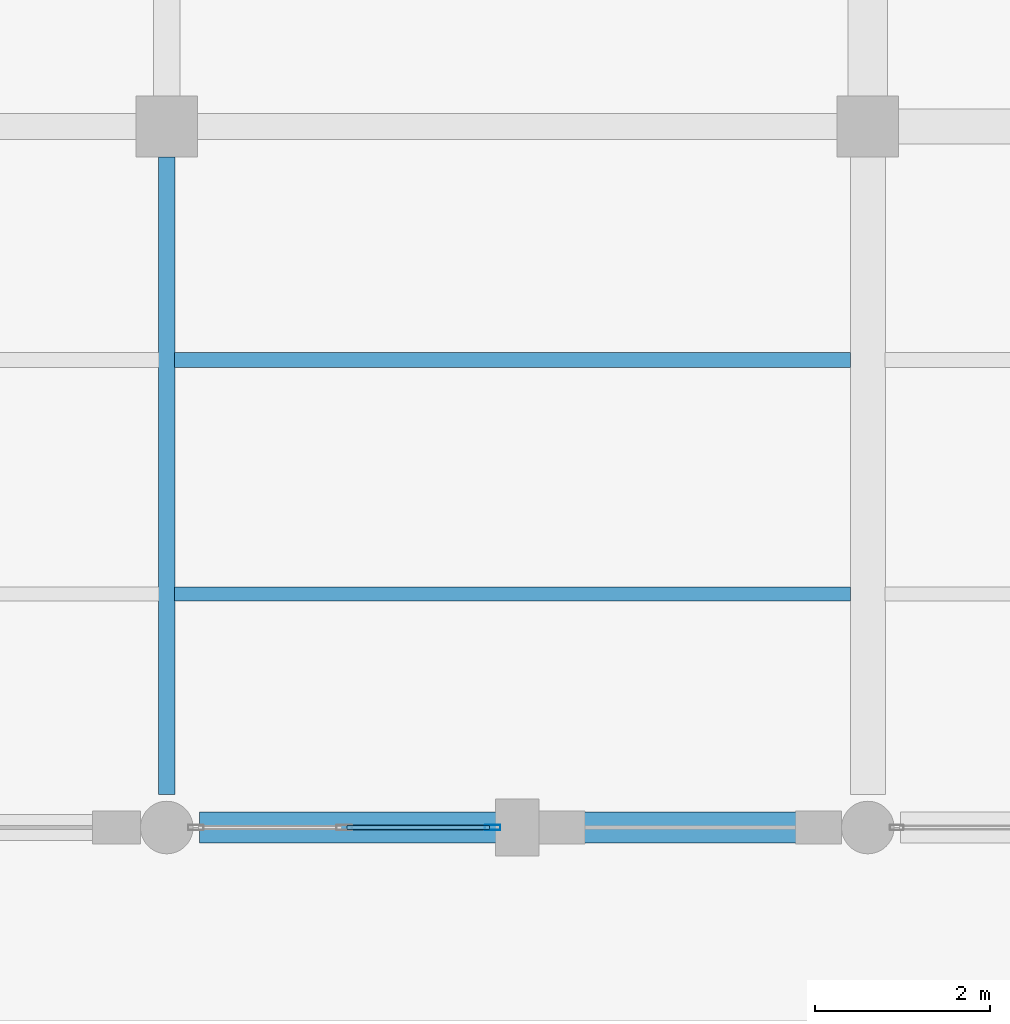
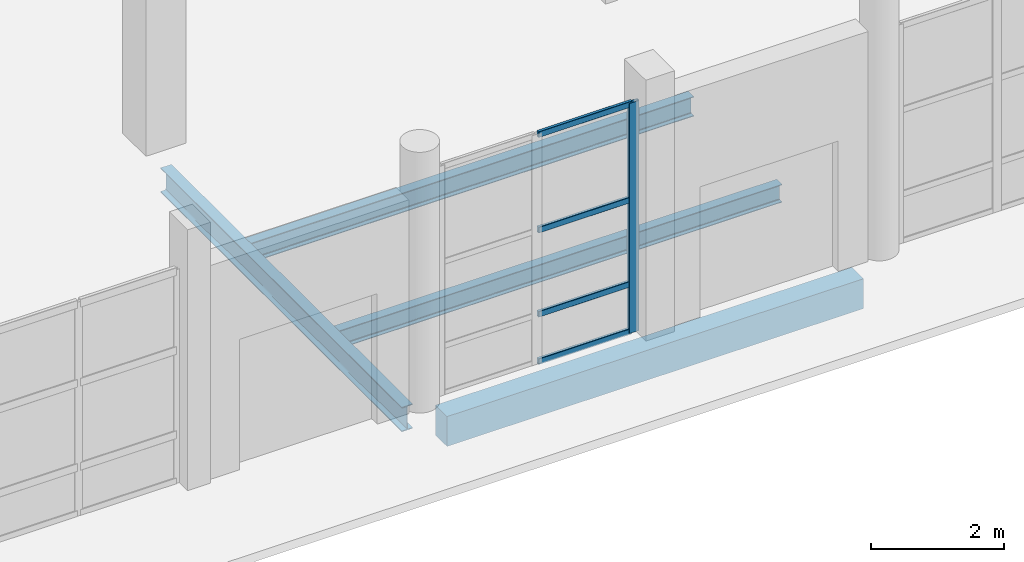
# One storey, part 8 of 156: 5 members, 4 beams, 1 element without a shape of its own.
"""IFC4 building model written with IfcOpenShell, lengths in metres."""

from ifc_helpers import new_model, si_unit, direction, frame, origin, origin_2d, place, context, subcontext, project, spatial, rectangle, hollow_rectangle, i_section, extrude, material, material_profile, profile_set, type_object, element, aggregate, save


model = new_model("IFC4")

# Units and contexts
model_context = context("Model", 3, precision=1e-05, world=origin(), true_north=direction((0.0, 1.0)))
body_context = subcontext(model_context, "Body", "Model", "MODEL_VIEW")
ifc_project = project(units=[si_unit("LENGTHUNIT", "METRE"), si_unit("AREAUNIT", "SQUARE_METRE"), si_unit("VOLUMEUNIT", "CUBIC_METRE"), si_unit("PLANEANGLEUNIT", "RADIAN"), si_unit("MASSUNIT", "GRAM", prefix="KILO")], contexts=[model_context])

# Site, building, storey
site_placement = place(None, origin())
site = spatial("IfcSite", under=ifc_project, at=site_placement, CompositionType="ELEMENT")
building_placement = place(site_placement, origin())
building = spatial("IfcBuilding", under=site, at=building_placement, Name="Luwemba Playhouse", CompositionType="ELEMENT")
storey_placement = place(building_placement, origin())
storey = spatial("IfcBuildingStorey", under=building, at=storey_placement, Name="L00", CompositionType="ELEMENT", Elevation=0.0)

# Beams
ifc_material_1 = material(Name="Steel S355", Category="steel")
ifc_material_profile_1 = material_profile(ifc_material_1, i_section(OverallWidth=0.18994140625, OverallDepth=0.449951171875, WebThickness=0.009521484375, FlangeThickness=0.0146484375, FilletRadius=0.02099609375, at=origin_2d()))
ifc_profile_set_1 = profile_set([ifc_material_profile_1], Name="Steel S355")
beam_type_1 = type_object("IfcBeamType", Name="BM-SB06", PredefinedType="BEAM", material=ifc_profile_set_1)
beam_1_placement = place(storey_placement, frame((28.0, 3.375, -0.52490234375), z_axis=(0.0, 1.0, 0.0), x_axis=(-1.0, 0.0, 0.0)))
element("IfcBeam", 1, at=beam_1_placement, inside=storey, type_object=beam_type_1, Name="L00 transverse girder 0187", PredefinedType="BEAM", context=body_context, shape_type="SweptSolid", body=[
    extrude(i_section(OverallWidth=0.18994140625, OverallDepth=0.449951171875, WebThickness=0.009521484375, FlangeThickness=0.0146484375, FilletRadius=0.02099609375, at=origin_2d()), origin(), (0.0, 0.0, 1.0), 7.27490234375),
])
ifc_material_profile_2 = material_profile(ifc_material_1, i_section(OverallWidth=0.159912109375, OverallDepth=0.330078125, WebThickness=0.007568359375, FlangeThickness=0.011474609375, FilletRadius=0.01806640625, at=origin_2d()))
ifc_profile_set_2 = profile_set([ifc_material_profile_2], Name="Steel S355")
beam_type_2 = type_object("IfcBeamType", Name="BM-SJ06", PredefinedType="JOIST", material=ifc_profile_set_2)
beam_2_placement = place(storey_placement, frame((28.091064453125, 5.666748046875, -0.465087890625), z_axis=(1.0, 0.0, 0.0), x_axis=(0.0, 1.0, 0.0)))
element("IfcBeam", 2, at=beam_2_placement, inside=storey, type_object=beam_type_2, Name="L00 composite floor joist 0134", PredefinedType="JOIST", context=body_context, shape_type="SweptSolid", body=[
    extrude(i_section(OverallWidth=0.159912109375, OverallDepth=0.330078125, WebThickness=0.007568359375, FlangeThickness=0.011474609375, FilletRadius=0.01806640625, at=origin_2d()), origin(), (0.0, 0.0, 1.0), 7.712890625),
])
ifc_material_profile_3 = material_profile(ifc_material_1, i_section(OverallWidth=0.169921875, OverallDepth=0.360107421875, WebThickness=0.008056640625, FlangeThickness=0.0126953125, FilletRadius=0.01806640625, at=origin_2d()))
ifc_profile_set_3 = profile_set([ifc_material_profile_3], Name="Steel S355")
beam_type_3 = type_object("IfcBeamType", Name="BM-SJ07", PredefinedType="JOIST", material=ifc_profile_set_3)
beam_3_placement = place(storey_placement, frame((28.091064453125, 8.333251953125, -0.47998046875), z_axis=(1.0, 0.0, 0.0), x_axis=(0.0, 1.0, 0.0)))
element("IfcBeam", 3, at=beam_3_placement, inside=storey, type_object=beam_type_3, Name="L00 composite floor joist 0135", PredefinedType="JOIST", context=body_context, shape_type="SweptSolid", body=[
    extrude(i_section(OverallWidth=0.169921875, OverallDepth=0.360107421875, WebThickness=0.008056640625, FlangeThickness=0.0126953125, FilletRadius=0.01806640625, at=origin_2d()), origin(), (0.0, 0.0, 1.0), 7.712890625),
])
ifc_material_2 = material(Name="Concrete C40/50", Category="concrete")
ifc_material_profile_4 = material_profile(ifc_material_2, rectangle(XDim=0.35009765625, YDim=0.550048828125, at=origin_2d()))
ifc_profile_set_4 = profile_set([ifc_material_profile_4], Name="Concrete C40/50")
beam_type_4 = type_object("IfcBeamType", Name="BM-SP2", PredefinedType="SPANDREL", material=ifc_profile_set_4)
beam_4_placement = place(storey_placement, frame((28.375, 3.0, -0.574951171875), z_axis=(1.0, 0.0, 0.0), x_axis=(0.0, 1.0, 0.0)))
element("IfcBeam", 4, at=beam_4_placement, inside=storey, type_object=beam_type_4, Name="L00 grid girder 0153", PredefinedType="SPANDREL", context=body_context, shape_type="SweptSolid", body=[
    extrude(rectangle(XDim=0.35009765625, YDim=0.550048828125, at=origin_2d()), origin(), (0.0, 0.0, 1.0), 7.25),
])

# Curtain wall, members
ifc_material_3 = material(Name="Solar-control double glazing", Category="glass")
curtain_wall_type = type_object("IfcCurtainWallType", Name="CW-CW29", PredefinedType="USERDEFINED", material=ifc_material_3)
curtain_wall_placement = place(storey_placement, origin())
curtain_wall = element("IfcCurtainWall", 5, at=curtain_wall_placement, inside=storey, type_object=curtain_wall_type, Name="L00 V5W unitised curtain wall 048", ObjectType="UNITISED GLAZING", PredefinedType="USERDEFINED")
ifc_material_4 = material(Name="Aluminium 6063-T6", Category="aluminium")
ifc_material_profile_5 = material_profile(ifc_material_4, hollow_rectangle(XDim=0.06494140625, YDim=0.179931640625, WallThickness=0.00439453125, InnerFilletRadius=0.0068359375, OuterFilletRadius=0.01123046875, at=origin_2d()))
ifc_profile_set_5 = profile_set([ifc_material_profile_5], Name="Aluminium 6063-T6")
member_type_1 = type_object("IfcMemberType", Name="CWM-M2", PredefinedType="MULLION", material=ifc_profile_set_5)
member_1_placement = place(storey_placement, frame((31.717529296875, 3.0, 0.0), z_axis=(0.0, 0.0, 1.0), x_axis=(0.0, -1.0, 0.0)))
member_1 = element("IfcMember", 6, at=member_1_placement, type_object=member_type_1, Name="CW29 mullion 1", PredefinedType="MULLION", context=body_context, shape_type="SweptSolid", body=[
    extrude(hollow_rectangle(XDim=0.06494140625, YDim=0.179931640625, WallThickness=0.00439453125, InnerFilletRadius=0.0068359375, OuterFilletRadius=0.01123046875, at=origin_2d()), origin(), (0.0, 0.0, 1.0), 4.235107421875),
])
ifc_material_profile_6 = material_profile(ifc_material_4, hollow_rectangle(XDim=0.054931640625, YDim=0.110107421875, WallThickness=0.00341796875, InnerFilletRadius=0.00537109375, OuterFilletRadius=0.0087890625, at=origin_2d()))
ifc_profile_set_6 = profile_set([ifc_material_profile_6], Name="Aluminium 6063-T6")
member_type_2 = type_object("IfcMemberType", Name="CWT-T2", PredefinedType="USERDEFINED", material=ifc_profile_set_6)
member_2_placement = place(storey_placement, frame((31.68505859375, 3.0, 0.027587890625), z_axis=(-1.0, 0.0, 0.0), x_axis=(0.0, -1.0, 0.0)))
member_2 = element("IfcMember", 7, at=member_2_placement, type_object=member_type_2, Name="CW29 transom 1.1", ObjectType="TRANSOM", PredefinedType="USERDEFINED", context=body_context, shape_type="SweptSolid", body=[
    extrude(hollow_rectangle(XDim=0.054931640625, YDim=0.110107421875, WallThickness=0.00341796875, InnerFilletRadius=0.00537109375, OuterFilletRadius=0.0087890625, at=origin_2d()), origin(), (0.0, 0.0, 1.0), 1.62744140625),
])
member_3_placement = place(storey_placement, frame((31.68505859375, 3.0, 0.89990234375), z_axis=(-1.0, 0.0, 0.0), x_axis=(0.0, -1.0, 0.0)))
member_3 = element("IfcMember", 8, at=member_3_placement, type_object=member_type_2, Name="CW29 transom 1.2", ObjectType="TRANSOM", PredefinedType="USERDEFINED", context=body_context, shape_type="SweptSolid", body=[
    extrude(hollow_rectangle(XDim=0.054931640625, YDim=0.110107421875, WallThickness=0.00341796875, InnerFilletRadius=0.00537109375, OuterFilletRadius=0.0087890625, at=origin_2d()), origin(), (0.0, 0.0, 1.0), 1.62744140625),
])
member_4_placement = place(storey_placement, frame((31.68505859375, 3.0, 2.449951171875), z_axis=(-1.0, 0.0, 0.0), x_axis=(0.0, -1.0, 0.0)))
member_4 = element("IfcMember", 9, at=member_4_placement, type_object=member_type_2, Name="CW29 transom 1.3", ObjectType="TRANSOM", PredefinedType="USERDEFINED", context=body_context, shape_type="SweptSolid", body=[
    extrude(hollow_rectangle(XDim=0.054931640625, YDim=0.110107421875, WallThickness=0.00341796875, InnerFilletRadius=0.00537109375, OuterFilletRadius=0.0087890625, at=origin_2d()), origin(), (0.0, 0.0, 1.0), 1.62744140625),
])
member_5_placement = place(storey_placement, frame((31.68505859375, 3.0, 4.20751953125), z_axis=(-1.0, 0.0, 0.0), x_axis=(0.0, -1.0, 0.0)))
member_5 = element("IfcMember", 10, at=member_5_placement, type_object=member_type_2, Name="CW29 transom 1.4", ObjectType="TRANSOM", PredefinedType="USERDEFINED", context=body_context, shape_type="SweptSolid", body=[
    extrude(hollow_rectangle(XDim=0.054931640625, YDim=0.110107421875, WallThickness=0.00341796875, InnerFilletRadius=0.00537109375, OuterFilletRadius=0.0087890625, at=origin_2d()), origin(), (0.0, 0.0, 1.0), 1.62744140625),
])
aggregate(curtain_wall, [member_1, member_2, member_3, member_4, member_5])

save(model, "model.ifc")
